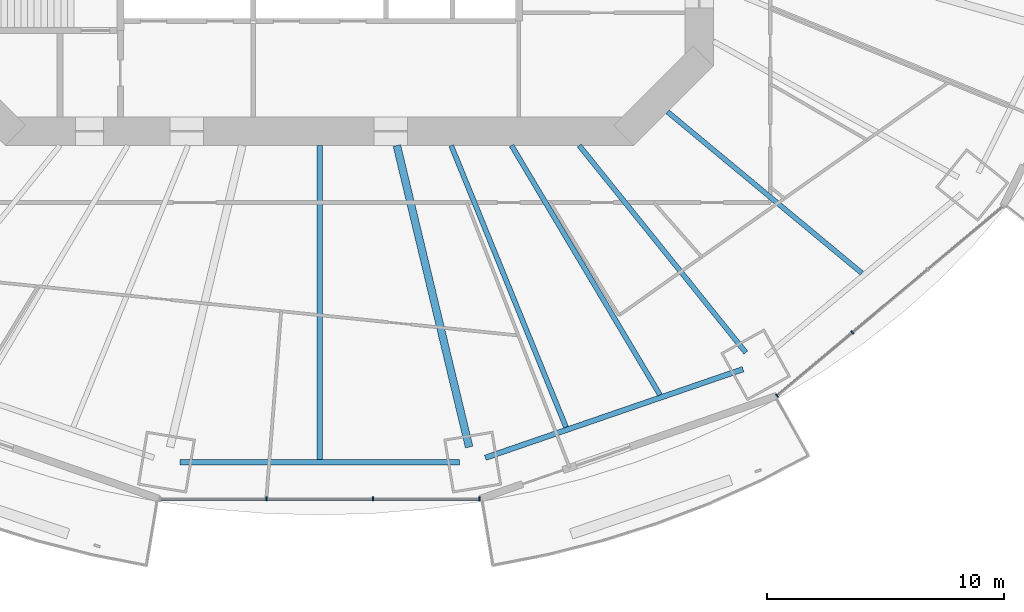
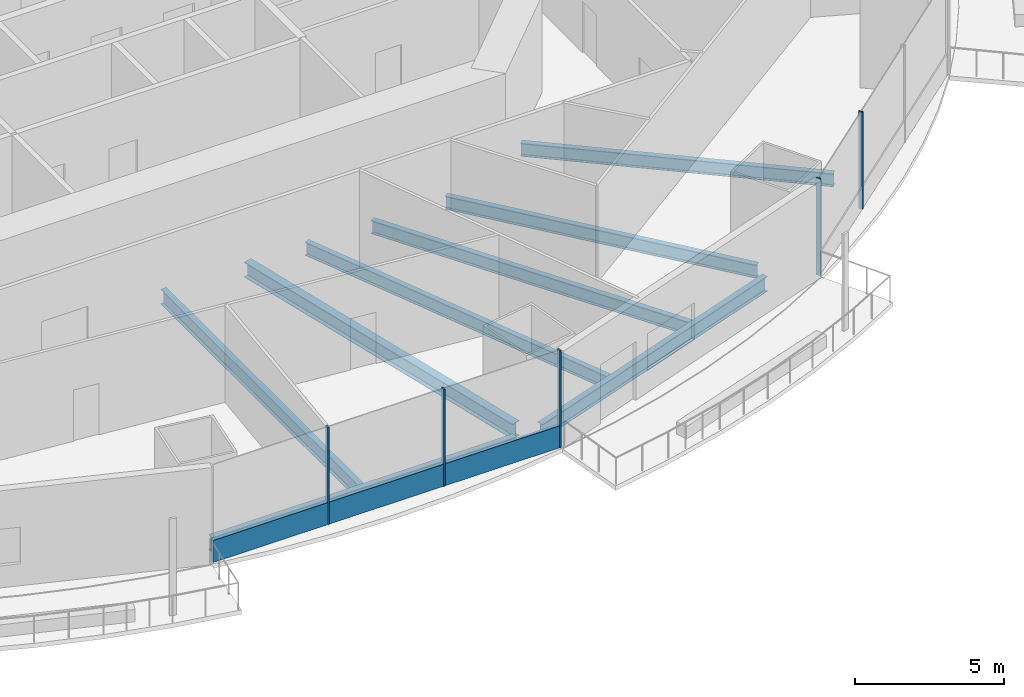
# One storey, part 4 of 22: 8 beams, 6 members, 2 elements without a shape of their own.
"""IFC4 building model written with IfcOpenShell, lengths in metres."""

from ifc_helpers import new_model, si_unit, direction, frame, origin, origin_2d, place, context, subcontext, project, spatial, rectangle, i_section, extrude, material, material_profile, profile_set, type_object, element, aggregate, save


model = new_model("IFC4")

# Units and contexts
model_context = context("Model", 3, precision=1e-05, world=origin(), true_north=direction((0.0, 1.0)))
body_context = subcontext(model_context, "Body", "Model", "MODEL_VIEW")
ifc_project = project(units=[si_unit("LENGTHUNIT", "METRE"), si_unit("AREAUNIT", "SQUARE_METRE"), si_unit("VOLUMEUNIT", "CUBIC_METRE"), si_unit("PLANEANGLEUNIT", "RADIAN"), si_unit("MASSUNIT", "GRAM", prefix="KILO")], contexts=[model_context])

# Site, building, storey
site_placement = place(None, origin())
site = spatial("IfcSite", under=ifc_project, at=site_placement, CompositionType="ELEMENT")
building_placement = place(site_placement, origin())
building = spatial("IfcBuilding", under=site, at=building_placement, Name="Marenthal Gate Tower", CompositionType="ELEMENT")
storey_placement = place(building_placement, frame((0.0, 0.0, 95.25)))
storey = spatial("IfcBuildingStorey", under=building, at=storey_placement, Name="L19", CompositionType="ELEMENT", Elevation=95.25)

# Curtain wall, members
ifc_material_1 = material(Name="Aluminium and glass", Category="aluminium")
curtain_wall_type = type_object("IfcCurtainWallType", Name="Curtain wall typical low", PredefinedType="NOTDEFINED", material=ifc_material_1)
curtain_wall_1_placement = place(storey_placement, origin())
curtain_wall_1 = element("IfcCurtainWall", 1, at=curtain_wall_1_placement, inside=storey, type_object=curtain_wall_type, Name="Curtain wall L19 bay 12", PredefinedType="NOTDEFINED")
ifc_material_2 = material(Name="Aluminium", Category="aluminium")
ifc_material_profile_1 = material_profile(ifc_material_2, rectangle(XDim=0.159912109375, YDim=0.06005859375, at=origin_2d()), Name="60x160 aluminium mullion")
ifc_profile_set_1 = profile_set([ifc_material_profile_1], Name="Aluminium")
member_type_1 = type_object("IfcMemberType", Name="Mullion 60x160 typical low", PredefinedType="MULLION", material=ifc_profile_set_1)
member_1_placement = place(storey_placement, frame((-2.244384765625, -28.494873046875, 0.0), z_axis=(0.0, 0.0, 1.0), x_axis=(0.0, 1.0, 0.0)))
member_1 = element("IfcMember", 2, at=member_1_placement, type_object=member_type_1, Name="Mullion L19 bay 12.2", PredefinedType="MULLION", context=body_context, shape_type="SweptSolid", body=[
    extrude(rectangle(XDim=0.159912109375, YDim=0.06005859375, at=origin_2d()), origin(), (0.0, 0.0, 1.0), 3.969970703125),
])
member_2_placement = place(storey_placement, frame((2.244384765625, -28.494873046875, 0.0), z_axis=(0.0, 0.0, 1.0), x_axis=(0.0, 1.0, 0.0)))
member_2 = element("IfcMember", 3, at=member_2_placement, type_object=member_type_1, Name="Mullion L19 bay 12.3", PredefinedType="MULLION", context=body_context, shape_type="SweptSolid", body=[
    extrude(rectangle(XDim=0.159912109375, YDim=0.06005859375, at=origin_2d()), origin(), (0.0, 0.0, 1.0), 3.969970703125),
])
member_3_placement = place(storey_placement, frame((6.7333984375, -28.494873046875, 0.0), z_axis=(0.0, 0.0, 1.0), x_axis=(0.0, 1.0, 0.0)))
member_3 = element("IfcMember", 4, at=member_3_placement, type_object=member_type_1, Name="Mullion L19 bay 12.4", PredefinedType="MULLION", context=body_context, shape_type="SweptSolid", body=[
    extrude(rectangle(XDim=0.159912109375, YDim=0.06005859375, at=origin_2d()), origin(), (0.0, 0.0, 1.0), 3.969970703125),
])

curtain_wall_2_placement = place(storey_placement, origin())
curtain_wall_2 = element("IfcCurtainWall", 5, at=curtain_wall_2_placement, inside=storey, type_object=curtain_wall_type, Name="Curtain wall L19 bay 14", PredefinedType="NOTDEFINED")
member_4_placement = place(storey_placement, frame((19.283447265625, -24.137451171875, 0.0), z_axis=(0.0, 0.0, 1.0), x_axis=(-0.642307658805, 0.766446913648, 0.0)))
member_4 = element("IfcMember", 6, at=member_4_placement, type_object=member_type_1, Name="Mullion L19 bay 14.1", PredefinedType="MULLION", context=body_context, shape_type="SweptSolid", body=[
    extrude(rectangle(XDim=0.159912109375, YDim=0.06005859375, at=origin_2d()), origin(), (0.0, 0.0, 1.0), 3.969970703125),
])
member_5_placement = place(storey_placement, frame((22.45654296875, -21.478515625, 0.0), z_axis=(0.0, 0.0, 1.0), x_axis=(-0.642307658805, 0.766446913648, 0.0)))
member_5 = element("IfcMember", 7, at=member_5_placement, type_object=member_type_1, Name="Mullion L19 bay 14.2", PredefinedType="MULLION", context=body_context, shape_type="SweptSolid", body=[
    extrude(rectangle(XDim=0.159912109375, YDim=0.06005859375, at=origin_2d()), origin(), (0.0, 0.0, 1.0), 3.969970703125),
])
aggregate(curtain_wall_2, [member_4, member_5])

# Member
ifc_material_3 = material(Name="Aluminium", Category="aluminium")
ifc_material_profile_2 = material_profile(ifc_material_3, rectangle(XDim=0.1201171875, YDim=0.89990234375, at=origin_2d()), Name="120x900 aluminium transom")
ifc_profile_set_2 = profile_set([ifc_material_profile_2], Name="Aluminium")
member_type_2 = type_object("IfcMemberType", Name="Transom 120x900 typical low", PredefinedType="USERDEFINED", material=ifc_profile_set_2)
member_6_placement = place(storey_placement, frame((-6.703369140625, -28.494873046875, 0.449951171875), z_axis=(1.0, 0.0, 0.0), x_axis=(0.0, 1.0, 0.0)))
member_6 = element("IfcMember", 8, at=member_6_placement, type_object=member_type_2, Name="Transom L19 bay 12", ObjectType="TRANSOM", PredefinedType="USERDEFINED", context=body_context, shape_type="SweptSolid", body=[
    extrude(rectangle(XDim=0.1201171875, YDim=0.89990234375, at=origin_2d()), origin(), (0.0, 0.0, 1.0), 13.40673828125),
])

aggregate(curtain_wall_1, [member_1, member_2, member_3, member_6])

# Beams
ifc_material_4 = material(Name="Steel S355", Category="steel")
ifc_material_profile_3 = material_profile(ifc_material_4, i_section(OverallWidth=0.2099609375, OverallDepth=0.535888671875, WebThickness=0.010986328125, FlangeThickness=0.017333984375, FilletRadius=0.0126953125, at=origin_2d()), Name="W530X101")
ifc_profile_set_3 = profile_set([ifc_material_profile_3], Name="Steel S355")
beam_type_1 = type_object("IfcBeamType", Name="W530X101 beam", PredefinedType="BEAM", material=ifc_profile_set_3)
beam_1_placement = place(storey_placement, frame((22.857666015625, -18.978759765625, -0.447998046875), z_axis=(-0.769368830907, 0.63880482311, 0.0), x_axis=(-0.63880482311, -0.769368830907, 0.0)))
element("IfcBeam", 9, at=beam_1_placement, inside=storey, type_object=beam_type_1, Name="BM-L19-37", PredefinedType="BEAM", context=body_context, shape_type="SweptSolid", body=[
    extrude(i_section(OverallWidth=0.2099609375, OverallDepth=0.535888671875, WebThickness=0.010986328125, FlangeThickness=0.017333984375, FilletRadius=0.0126953125, at=origin_2d()), origin(), (0.0, 0.0, 1.0), 10.643310546875),
])
ifc_material_5 = material(Name="Steel S355", Category="steel")
ifc_material_profile_4 = material_profile(ifc_material_5, i_section(OverallWidth=0.2119140625, OverallDepth=0.5439453125, WebThickness=0.01318359375, FlangeThickness=0.021240234375, FilletRadius=0.0126953125, at=origin_2d()), Name="W530X123")
ifc_profile_set_4 = profile_set([ifc_material_profile_4], Name="Steel S355")
beam_type_2 = type_object("IfcBeamType", Name="W530X123 beam", PredefinedType="BEAM", material=ifc_profile_set_4)
beam_2_placement = place(storey_placement, frame((17.964599609375, -22.3232421875, -0.451904296875), z_axis=(-0.626952602909, 0.779057400777, 0.0), x_axis=(-0.779057400777, -0.626952602909, 0.0)))
element("IfcBeam", 10, at=beam_2_placement, inside=storey, type_object=beam_type_2, Name="BM-L19-14", PredefinedType="BEAM", context=body_context, shape_type="SweptSolid", body=[
    extrude(i_section(OverallWidth=0.2119140625, OverallDepth=0.5439453125, WebThickness=0.01318359375, FlangeThickness=0.021240234375, FilletRadius=0.0126953125, at=origin_2d()), origin(), (0.0, 0.0, 1.0), 11.197021484375),
])
beam_3_placement = place(storey_placement, frame((10.3876953125, -25.4716796875, -0.451904296875), z_axis=(-0.377613822907, 0.925963174618, 0.0), x_axis=(-0.925963174618, -0.377613822907, 0.0)))
element("IfcBeam", 11, at=beam_3_placement, inside=storey, type_object=beam_type_2, Name="BM-L19-35", PredefinedType="BEAM", context=body_context, shape_type="SweptSolid", body=[
    extrude(i_section(OverallWidth=0.2119140625, OverallDepth=0.5439453125, WebThickness=0.01318359375, FlangeThickness=0.021240234375, FilletRadius=0.0126953125, at=origin_2d()), origin(), (0.0, 0.0, 1.0), 12.82080078125),
])
beam_4_placement = place(storey_placement, frame((14.346923828125, -24.10986328125, -0.451904296875), z_axis=(-0.511368740727, 0.859361397206, 0.0), x_axis=(-0.859361397206, -0.511368740727, 0.0)))
element("IfcBeam", 12, at=beam_4_placement, inside=storey, type_object=beam_type_2, Name="BM-L19-36", PredefinedType="BEAM", context=body_context, shape_type="SweptSolid", body=[
    extrude(i_section(OverallWidth=0.2119140625, OverallDepth=0.5439453125, WebThickness=0.01318359375, FlangeThickness=0.021240234375, FilletRadius=0.0126953125, at=origin_2d()), origin(), (0.0, 0.0, 1.0), 12.229736328125),
])
ifc_material_6 = material(Name="Steel S355", Category="steel")
ifc_material_profile_5 = material_profile(ifc_material_6, i_section(OverallWidth=0.22900390625, OverallDepth=0.612060546875, WebThickness=0.011962890625, FlangeThickness=0.01953125, FilletRadius=0.0126953125, at=origin_2d()), Name="W610X125")
ifc_profile_set_5 = profile_set([ifc_material_profile_5], Name="Steel S355")
beam_type_3 = type_object("IfcBeamType", Name="W610X125 beam", PredefinedType="BEAM", material=ifc_profile_set_5)
beam_5_placement = place(storey_placement, frame((0.0, -26.83056640625, -0.486083984375), z_axis=(0.0, 1.0, 0.0), x_axis=(-1.0, 0.0, 0.0)))
element("IfcBeam", 13, at=beam_5_placement, inside=storey, type_object=beam_type_3, Name="BM-L19-34", PredefinedType="BEAM", context=body_context, shape_type="SweptSolid", body=[
    extrude(i_section(OverallWidth=0.22900390625, OverallDepth=0.612060546875, WebThickness=0.011962890625, FlangeThickness=0.01953125, FilletRadius=0.0126953125, at=origin_2d()), origin(), (0.0, 0.0, 1.0), 13.23046875),
])
beam_6_placement = place(storey_placement, frame((-5.890869140625, -26.945068359375, -0.486083984375), z_axis=(1.0, 0.0, 0.0), x_axis=(0.0, 1.0, 0.0)))
element("IfcBeam", 14, at=beam_6_placement, inside=storey, type_object=beam_type_3, Name="BM-L19-52", PredefinedType="BEAM", context=body_context, shape_type="SweptSolid", body=[
    extrude(i_section(OverallWidth=0.22900390625, OverallDepth=0.612060546875, WebThickness=0.011962890625, FlangeThickness=0.01953125, FilletRadius=0.0126953125, at=origin_2d()), origin(), (0.0, 0.0, 1.0), 11.78173828125),
])
beam_7_placement = place(storey_placement, frame((6.9892578125, -26.761474609375, -0.486083984375), z_axis=(0.945633885285, 0.325233077963, 0.0), x_axis=(-0.325233077963, 0.945633885285, 0.0)))
element("IfcBeam", 15, at=beam_7_placement, inside=storey, type_object=beam_type_3, Name="BM-L19-53", PredefinedType="BEAM", context=body_context, shape_type="SweptSolid", body=[
    extrude(i_section(OverallWidth=0.22900390625, OverallDepth=0.612060546875, WebThickness=0.011962890625, FlangeThickness=0.01953125, FilletRadius=0.0126953125, at=origin_2d()), origin(), (0.0, 0.0, 1.0), 11.482177734375),
])
ifc_material_7 = material(Name="Steel S355", Category="steel")
ifc_material_profile_6 = material_profile(ifc_material_7, i_section(OverallWidth=0.324951171875, OverallDepth=0.612060546875, WebThickness=0.0126953125, FlangeThickness=0.01904296875, FilletRadius=0.0126953125, at=origin_2d()), Name="W610X155")
ifc_profile_set_6 = profile_set([ifc_material_profile_6], Name="Steel S355")
beam_type_4 = type_object("IfcBeamType", Name="W610X155 beam", PredefinedType="BEAM", material=ifc_profile_set_6)
beam_8_placement = place(storey_placement, frame((6.302978515625, -26.31005859375, -0.486083984375), z_axis=(-0.232977289633, 0.972482175937, 0.0), x_axis=(-0.972482175937, -0.232977289633, 0.0)))
element("IfcBeam", 16, at=beam_8_placement, inside=storey, type_object=beam_type_4, Name="BM-L19-13", PredefinedType="BEAM", context=body_context, shape_type="SweptSolid", body=[
    extrude(i_section(OverallWidth=0.324951171875, OverallDepth=0.612060546875, WebThickness=0.0126953125, FlangeThickness=0.01904296875, FilletRadius=0.0126953125, at=origin_2d()), origin(), (0.0, 0.0, 1.0), 13.069580078125),
])

save(model, "model.ifc")
